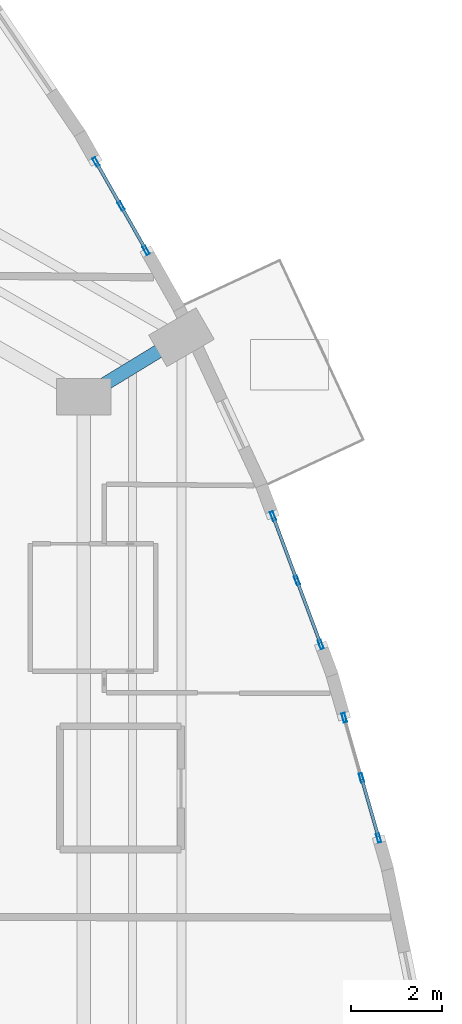
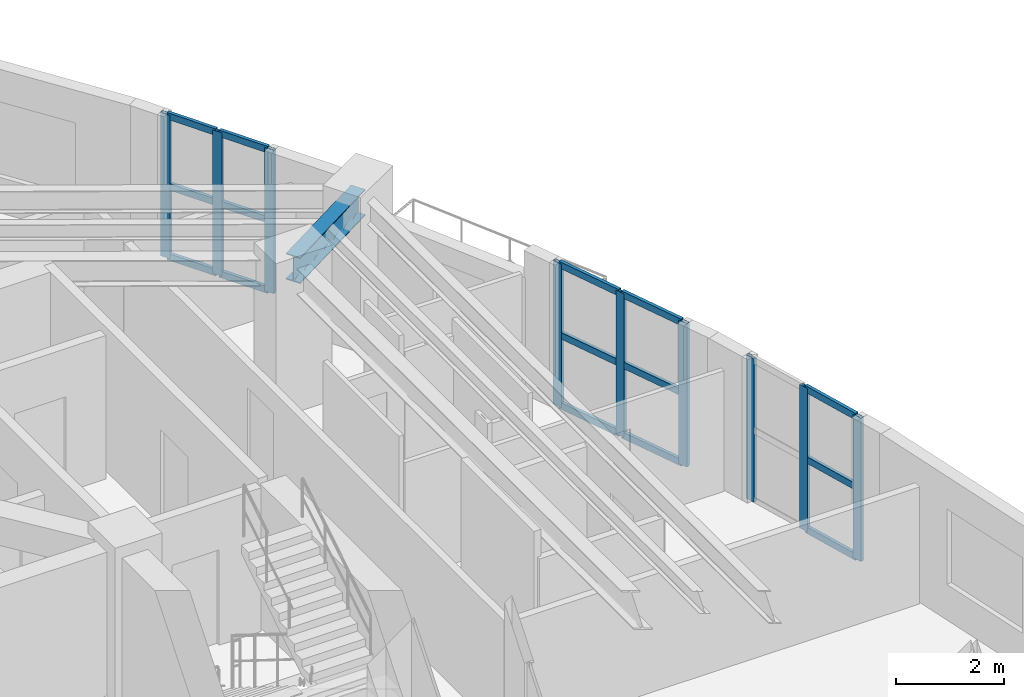
# One storey, part 2 of 14: 24 members, 1 beam, 3 elements without a shape of their own.
"""IFC4 building model written with IfcOpenShell, lengths in metres."""

from ifc_helpers import new_model, si_unit, direction, frame, origin, origin_2d, place, context, subcontext, project, spatial, hollow_rectangle, i_section, extrude, material, layer, layer_set, material_profile, profile_set, type_object, element, aggregate, save


model = new_model("IFC4")

# Units and contexts
model_context = context("Model", 3, precision=1e-05, world=origin(), true_north=direction((0.0, 1.0)))
body_context = subcontext(model_context, "Body", "Model", "MODEL_VIEW")
ifc_project = project(units=[si_unit("LENGTHUNIT", "METRE"), si_unit("AREAUNIT", "SQUARE_METRE"), si_unit("VOLUMEUNIT", "CUBIC_METRE"), si_unit("PLANEANGLEUNIT", "RADIAN"), si_unit("MASSUNIT", "GRAM", prefix="KILO")], contexts=[model_context])

# Site, building, storey
site_placement = place(None, origin())
site = spatial("IfcSite", under=ifc_project, at=site_placement, CompositionType="ELEMENT")
building_placement = place(site_placement, origin())
building = spatial("IfcBuilding", under=site, at=building_placement, Name="Miruveldt Soraemaru", CompositionType="ELEMENT")
storey_placement = place(building_placement, frame((0.0, 0.0, 142.39990234375)))
storey = spatial("IfcBuildingStorey", under=building, at=storey_placement, Name="L39", CompositionType="ELEMENT", Elevation=142.39990234375)

# Beam
ifc_material_1 = material(Name="Steel SM355 (355 MPa)", Category="steel")
ifc_material_profile_1 = material_profile(ifc_material_1, i_section(OverallWidth=0.300048828125, OverallDepth=0.587890625, WebThickness=0.011962890625, FlangeThickness=0.02001953125, FilletRadius=0.028076171875, at=origin_2d()), Name="Steel SM355 (355 MPa)", Category="steel")
ifc_profile_set_1 = profile_set([ifc_material_profile_1], Name="Steel SM355 (355 MPa)")
beam_type = type_object("IfcBeamType", Name="BM-ST-H588", PredefinedType="BEAM", material=ifc_profile_set_1)
beam_placement = place(storey_placement, frame((56.60009765625, 50.39990234375, 2.941162109375), z_axis=(0.85373175529, 0.520713059188, 0.0), x_axis=(-0.520713059188, 0.85373175529, 0.0)))
element("IfcBeam", 1, at=beam_placement, inside=storey, type_object=beam_type, Name="L39 Zone-2 Radial Girder 2", PredefinedType="BEAM", context=body_context, shape_type="SweptSolid", body=[
    extrude(i_section(OverallWidth=0.300048828125, OverallDepth=0.587890625, WebThickness=0.011962890625, FlangeThickness=0.02001953125, FilletRadius=0.028076171875, at=origin_2d()), origin(), (0.0, 0.0, 1.0), 2.506591796875),
])

# Curtain wall, members
ifc_material_2 = material(Name="Anodised aluminium EN AW-6063 T6", Category="aluminium")
ifc_layer = layer(ifc_material_2, 0.199951171875, Name="Anodised aluminium EN AW-6063 T6", Category="aluminium")
ifc_layer_set = layer_set([ifc_layer], Name="Anodised aluminium EN AW-6063 T6")
curtain_wall_type = type_object("IfcCurtainWallType", Name="CW-SYS-3", PredefinedType="USERDEFINED", material=ifc_layer_set)
curtain_wall_1_placement = place(storey_placement, origin())
curtain_wall_1 = element("IfcCurtainWall", 2, at=curtain_wall_1_placement, inside=storey, type_object=curtain_wall_type, Name="L39 Curtain Wall Bay 36", ObjectType="UNITISED GLAZING", PredefinedType="USERDEFINED")
ifc_material_profile_2 = material_profile(ifc_material_2, hollow_rectangle(XDim=0.070068359375, YDim=0.199951171875, WallThickness=0.00390625, at=origin_2d()), Name="Anodised aluminium EN AW-6063 T6", Category="aluminium")
ifc_profile_set_2 = profile_set([ifc_material_profile_2], Name="Anodised aluminium EN AW-6063 T6")
member_type_1 = type_object("IfcMemberType", Name="CWM-3", PredefinedType="MULLION", material=ifc_profile_set_2)
member_1_placement = place(storey_placement, frame((63.06201171875, 40.73046875, 0.0), z_axis=(0.0, 0.0, 1.0), x_axis=(-0.961443419315, -0.275002820815, 0.0)))
member_1 = element("IfcMember", 3, at=member_1_placement, type_object=member_type_1, Name="CW-3 mullion 1", PredefinedType="MULLION", context=body_context, shape_type="SweptSolid", body=[
    extrude(hollow_rectangle(XDim=0.070068359375, YDim=0.199951171875, WallThickness=0.00390625, at=origin_2d()), origin(), (0.0, 0.0, 1.0), 3.235107421875),
])
member_2_placement = place(storey_placement, frame((62.684814453125, 42.04931640625, 0.0), z_axis=(0.0, 0.0, 1.0), x_axis=(-0.961443419315, -0.275002820815, 0.0)))
member_2 = element("IfcMember", 4, at=member_2_placement, type_object=member_type_1, Name="CW-3 mullion 2", PredefinedType="MULLION", context=body_context, shape_type="SweptSolid", body=[
    extrude(hollow_rectangle(XDim=0.070068359375, YDim=0.199951171875, WallThickness=0.00390625, at=origin_2d()), origin(), (0.0, 0.0, 1.0), 3.235107421875),
])
member_3_placement = place(storey_placement, frame((62.3076171875, 43.367919921875, 0.0), z_axis=(0.0, 0.0, 1.0), x_axis=(-0.961443419315, -0.275002820815, 0.0)))
member_3 = element("IfcMember", 5, at=member_3_placement, type_object=member_type_1, Name="CW-3 mullion 3", PredefinedType="MULLION", context=body_context, shape_type="SweptSolid", body=[
    extrude(hollow_rectangle(XDim=0.070068359375, YDim=0.199951171875, WallThickness=0.00390625, at=origin_2d()), origin(), (0.0, 0.0, 1.0), 3.235107421875),
])

curtain_wall_2_placement = place(storey_placement, origin())
curtain_wall_2 = element("IfcCurtainWall", 6, at=curtain_wall_2_placement, inside=storey, type_object=curtain_wall_type, Name="L39 Curtain Wall Bay 37", ObjectType="UNITISED GLAZING", PredefinedType="USERDEFINED")
member_4_placement = place(storey_placement, frame((61.7939453125, 44.97021484375, 0.0), z_axis=(0.0, 0.0, 1.0), x_axis=(-0.93711343241, -0.349024948673, 0.0)))
member_4 = element("IfcMember", 7, at=member_4_placement, type_object=member_type_1, Name="CW-3 mullion 1", PredefinedType="MULLION", context=body_context, shape_type="SweptSolid", body=[
    extrude(hollow_rectangle(XDim=0.070068359375, YDim=0.199951171875, WallThickness=0.00390625, at=origin_2d()), origin(), (0.0, 0.0, 1.0), 3.235107421875),
])
member_5_placement = place(storey_placement, frame((61.27001953125, 46.376708984375, 0.0), z_axis=(0.0, 0.0, 1.0), x_axis=(-0.93711343241, -0.349024948673, 0.0)))
member_5 = element("IfcMember", 8, at=member_5_placement, type_object=member_type_1, Name="CW-3 mullion 2", PredefinedType="MULLION", context=body_context, shape_type="SweptSolid", body=[
    extrude(hollow_rectangle(XDim=0.070068359375, YDim=0.199951171875, WallThickness=0.00390625, at=origin_2d()), origin(), (0.0, 0.0, 1.0), 3.235107421875),
])
member_6_placement = place(storey_placement, frame((60.74609375, 47.783447265625, 0.0), z_axis=(0.0, 0.0, 1.0), x_axis=(-0.93711343241, -0.349024948673, 0.0)))
member_6 = element("IfcMember", 9, at=member_6_placement, type_object=member_type_1, Name="CW-3 mullion 3", PredefinedType="MULLION", context=body_context, shape_type="SweptSolid", body=[
    extrude(hollow_rectangle(XDim=0.070068359375, YDim=0.199951171875, WallThickness=0.00390625, at=origin_2d()), origin(), (0.0, 0.0, 1.0), 3.235107421875),
])

curtain_wall_3_placement = place(storey_placement, origin())
curtain_wall_3 = element("IfcCurtainWall", 10, at=curtain_wall_3_placement, inside=storey, type_object=curtain_wall_type, Name="L39 Curtain Wall Bay 39", ObjectType="UNITISED GLAZING", PredefinedType="USERDEFINED")
member_7_placement = place(storey_placement, frame((57.9658203125, 53.609130859375, 0.0), z_axis=(0.0, 0.0, 1.0), x_axis=(-0.869837338128, -0.493338631366, 0.0)))
member_7 = element("IfcMember", 11, at=member_7_placement, type_object=member_type_1, Name="CW-3 mullion 1", PredefinedType="MULLION", context=body_context, shape_type="SweptSolid", body=[
    extrude(hollow_rectangle(XDim=0.070068359375, YDim=0.199951171875, WallThickness=0.00390625, at=origin_2d()), origin(), (0.0, 0.0, 1.0), 3.235107421875),
])
member_8_placement = place(storey_placement, frame((57.416259765625, 54.578369140625, 0.0), z_axis=(0.0, 0.0, 1.0), x_axis=(-0.869837338128, -0.493338631366, 0.0)))
member_8 = element("IfcMember", 12, at=member_8_placement, type_object=member_type_1, Name="CW-3 mullion 2", PredefinedType="MULLION", context=body_context, shape_type="SweptSolid", body=[
    extrude(hollow_rectangle(XDim=0.070068359375, YDim=0.199951171875, WallThickness=0.00390625, at=origin_2d()), origin(), (0.0, 0.0, 1.0), 3.235107421875),
])
member_9_placement = place(storey_placement, frame((56.86669921875, 55.54736328125, 0.0), z_axis=(0.0, 0.0, 1.0), x_axis=(-0.869837338128, -0.493338631366, 0.0)))
member_9 = element("IfcMember", 13, at=member_9_placement, type_object=member_type_1, Name="CW-3 mullion 3", PredefinedType="MULLION", context=body_context, shape_type="SweptSolid", body=[
    extrude(hollow_rectangle(XDim=0.070068359375, YDim=0.199951171875, WallThickness=0.00390625, at=origin_2d()), origin(), (0.0, 0.0, 1.0), 3.235107421875),
])

# Member
ifc_material_profile_3 = material_profile(ifc_material_2, hollow_rectangle(XDim=0.070068359375, YDim=0.14990234375, WallThickness=0.00390625, at=origin_2d()), Name="Anodised aluminium EN AW-6063 T6", Category="aluminium")
ifc_profile_set_3 = profile_set([ifc_material_profile_3], Name="Anodised aluminium EN AW-6063 T6")
member_type_2 = type_object("IfcMemberType", Name="CWT-3", PredefinedType="USERDEFINED", material=ifc_profile_set_3)
member_10_placement = place(storey_placement, frame((63.052490234375, 40.76416015625, 0.03515625), z_axis=(-0.274968844836, 0.961453136856, 0.0), x_axis=(-0.961453136856, -0.274968844836, 0.0)))
member_10 = element("IfcMember", 14, at=member_10_placement, type_object=member_type_2, Name="CW-3 transom 1.1", ObjectType="TRANSOM", PredefinedType="USERDEFINED", context=body_context, shape_type="SweptSolid", body=[
    extrude(hollow_rectangle(XDim=0.070068359375, YDim=0.14990234375, WallThickness=0.00390625, at=origin_2d()), origin(), (0.0, 0.0, 1.0), 1.3017578125),
])

member_11_placement = place(storey_placement, frame((63.052490234375, 40.76416015625, 1.61767578125), z_axis=(-0.274968844836, 0.961453136856, 0.0), x_axis=(-0.961453136856, -0.274968844836, 0.0)))
member_11 = element("IfcMember", 15, at=member_11_placement, type_object=member_type_2, Name="CW-3 transom 1.2", ObjectType="TRANSOM", PredefinedType="USERDEFINED", context=body_context, shape_type="SweptSolid", body=[
    extrude(hollow_rectangle(XDim=0.070068359375, YDim=0.14990234375, WallThickness=0.00390625, at=origin_2d()), origin(), (0.0, 0.0, 1.0), 1.3017578125),
])

member_12_placement = place(storey_placement, frame((63.052490234375, 40.76416015625, 3.2001953125), z_axis=(-0.274968844836, 0.961453136856, 0.0), x_axis=(-0.961453136856, -0.274968844836, 0.0)))
member_12 = element("IfcMember", 16, at=member_12_placement, type_object=member_type_2, Name="CW-3 transom 1.3", ObjectType="TRANSOM", PredefinedType="USERDEFINED", context=body_context, shape_type="SweptSolid", body=[
    extrude(hollow_rectangle(XDim=0.070068359375, YDim=0.14990234375, WallThickness=0.00390625, at=origin_2d()), origin(), (0.0, 0.0, 1.0), 1.3017578125),
])

aggregate(curtain_wall_1, [member_1, member_2, member_3, member_10, member_11, member_12])

member_13_placement = place(storey_placement, frame((61.78173828125, 45.0029296875, 0.03515625), z_axis=(-0.349047336913, 0.937105093676, 0.0), x_axis=(-0.937105093676, -0.349047336913, 0.0)))
member_13 = element("IfcMember", 17, at=member_13_placement, type_object=member_type_2, Name="CW-3 transom 1.1", ObjectType="TRANSOM", PredefinedType="USERDEFINED", context=body_context, shape_type="SweptSolid", body=[
    extrude(hollow_rectangle(XDim=0.070068359375, YDim=0.14990234375, WallThickness=0.00390625, at=origin_2d()), origin(), (0.0, 0.0, 1.0), 1.43115234375),
])

member_14_placement = place(storey_placement, frame((61.78173828125, 45.0029296875, 1.61767578125), z_axis=(-0.349047336913, 0.937105093676, 0.0), x_axis=(-0.937105093676, -0.349047336913, 0.0)))
member_14 = element("IfcMember", 18, at=member_14_placement, type_object=member_type_2, Name="CW-3 transom 1.2", ObjectType="TRANSOM", PredefinedType="USERDEFINED", context=body_context, shape_type="SweptSolid", body=[
    extrude(hollow_rectangle(XDim=0.070068359375, YDim=0.14990234375, WallThickness=0.00390625, at=origin_2d()), origin(), (0.0, 0.0, 1.0), 1.43115234375),
])

member_15_placement = place(storey_placement, frame((61.78173828125, 45.0029296875, 3.2001953125), z_axis=(-0.349047336913, 0.937105093676, 0.0), x_axis=(-0.937105093676, -0.349047336913, 0.0)))
member_15 = element("IfcMember", 19, at=member_15_placement, type_object=member_type_2, Name="CW-3 transom 1.3", ObjectType="TRANSOM", PredefinedType="USERDEFINED", context=body_context, shape_type="SweptSolid", body=[
    extrude(hollow_rectangle(XDim=0.070068359375, YDim=0.14990234375, WallThickness=0.00390625, at=origin_2d()), origin(), (0.0, 0.0, 1.0), 1.43115234375),
])

member_16_placement = place(storey_placement, frame((61.2578125, 46.40966796875, 0.03515625), z_axis=(-0.349103147417, 0.937084303819, 0.0), x_axis=(-0.937084303819, -0.349103147417, 0.0)))
member_16 = element("IfcMember", 20, at=member_16_placement, type_object=member_type_2, Name="CW-3 transom 2.1", ObjectType="TRANSOM", PredefinedType="USERDEFINED", context=body_context, shape_type="SweptSolid", body=[
    extrude(hollow_rectangle(XDim=0.070068359375, YDim=0.14990234375, WallThickness=0.00390625, at=origin_2d()), origin(), (0.0, 0.0, 1.0), 1.430908203125),
])

member_17_placement = place(storey_placement, frame((61.2578125, 46.40966796875, 1.61767578125), z_axis=(-0.349103147417, 0.937084303819, 0.0), x_axis=(-0.937084303819, -0.349103147417, 0.0)))
member_17 = element("IfcMember", 21, at=member_17_placement, type_object=member_type_2, Name="CW-3 transom 2.2", ObjectType="TRANSOM", PredefinedType="USERDEFINED", context=body_context, shape_type="SweptSolid", body=[
    extrude(hollow_rectangle(XDim=0.070068359375, YDim=0.14990234375, WallThickness=0.00390625, at=origin_2d()), origin(), (0.0, 0.0, 1.0), 1.430908203125),
])

member_18_placement = place(storey_placement, frame((61.2578125, 46.40966796875, 3.2001953125), z_axis=(-0.349103147417, 0.937084303819, 0.0), x_axis=(-0.937084303819, -0.349103147417, 0.0)))
member_18 = element("IfcMember", 22, at=member_18_placement, type_object=member_type_2, Name="CW-3 transom 2.3", ObjectType="TRANSOM", PredefinedType="USERDEFINED", context=body_context, shape_type="SweptSolid", body=[
    extrude(hollow_rectangle(XDim=0.070068359375, YDim=0.14990234375, WallThickness=0.00390625, at=origin_2d()), origin(), (0.0, 0.0, 1.0), 1.430908203125),
])

aggregate(curtain_wall_2, [member_4, member_5, member_6, member_13, member_14, member_15, member_16, member_17, member_18])

member_19_placement = place(storey_placement, frame((57.948486328125, 53.6396484375, 0.03515625), z_axis=(-0.493189571842, 0.869921862139, 0.0), x_axis=(-0.869921862139, -0.493189571842, 0.0)))
member_19 = element("IfcMember", 23, at=member_19_placement, type_object=member_type_2, Name="CW-3 transom 1.1", ObjectType="TRANSOM", PredefinedType="USERDEFINED", context=body_context, shape_type="SweptSolid", body=[
    extrude(hollow_rectangle(XDim=0.070068359375, YDim=0.14990234375, WallThickness=0.00390625, at=origin_2d()), origin(), (0.0, 0.0, 1.0), 1.0439453125),
])

member_20_placement = place(storey_placement, frame((57.948486328125, 53.6396484375, 1.61767578125), z_axis=(-0.493189571842, 0.869921862139, 0.0), x_axis=(-0.869921862139, -0.493189571842, 0.0)))
member_20 = element("IfcMember", 24, at=member_20_placement, type_object=member_type_2, Name="CW-3 transom 1.2", ObjectType="TRANSOM", PredefinedType="USERDEFINED", context=body_context, shape_type="SweptSolid", body=[
    extrude(hollow_rectangle(XDim=0.070068359375, YDim=0.14990234375, WallThickness=0.00390625, at=origin_2d()), origin(), (0.0, 0.0, 1.0), 1.0439453125),
])

member_21_placement = place(storey_placement, frame((57.948486328125, 53.6396484375, 3.2001953125), z_axis=(-0.493189571842, 0.869921862139, 0.0), x_axis=(-0.869921862139, -0.493189571842, 0.0)))
member_21 = element("IfcMember", 25, at=member_21_placement, type_object=member_type_2, Name="CW-3 transom 1.3", ObjectType="TRANSOM", PredefinedType="USERDEFINED", context=body_context, shape_type="SweptSolid", body=[
    extrude(hollow_rectangle(XDim=0.070068359375, YDim=0.14990234375, WallThickness=0.00390625, at=origin_2d()), origin(), (0.0, 0.0, 1.0), 1.0439453125),
])

member_22_placement = place(storey_placement, frame((57.39892578125, 54.608642578125, 0.03515625), z_axis=(-0.493189571842, 0.869921862139, 0.0), x_axis=(-0.869921862139, -0.493189571842, 0.0)))
member_22 = element("IfcMember", 26, at=member_22_placement, type_object=member_type_2, Name="CW-3 transom 2.1", ObjectType="TRANSOM", PredefinedType="USERDEFINED", context=body_context, shape_type="SweptSolid", body=[
    extrude(hollow_rectangle(XDim=0.070068359375, YDim=0.14990234375, WallThickness=0.00390625, at=origin_2d()), origin(), (0.0, 0.0, 1.0), 1.0439453125),
])

member_23_placement = place(storey_placement, frame((57.39892578125, 54.608642578125, 1.61767578125), z_axis=(-0.493189571842, 0.869921862139, 0.0), x_axis=(-0.869921862139, -0.493189571842, 0.0)))
member_23 = element("IfcMember", 27, at=member_23_placement, type_object=member_type_2, Name="CW-3 transom 2.2", ObjectType="TRANSOM", PredefinedType="USERDEFINED", context=body_context, shape_type="SweptSolid", body=[
    extrude(hollow_rectangle(XDim=0.070068359375, YDim=0.14990234375, WallThickness=0.00390625, at=origin_2d()), origin(), (0.0, 0.0, 1.0), 1.0439453125),
])

member_24_placement = place(storey_placement, frame((57.39892578125, 54.608642578125, 3.2001953125), z_axis=(-0.493189571842, 0.869921862139, 0.0), x_axis=(-0.869921862139, -0.493189571842, 0.0)))
member_24 = element("IfcMember", 28, at=member_24_placement, type_object=member_type_2, Name="CW-3 transom 2.3", ObjectType="TRANSOM", PredefinedType="USERDEFINED", context=body_context, shape_type="SweptSolid", body=[
    extrude(hollow_rectangle(XDim=0.070068359375, YDim=0.14990234375, WallThickness=0.00390625, at=origin_2d()), origin(), (0.0, 0.0, 1.0), 1.0439453125),
])

aggregate(curtain_wall_3, [member_7, member_8, member_9, member_19, member_20, member_21, member_22, member_23, member_24])

save(model, "model.ifc")
